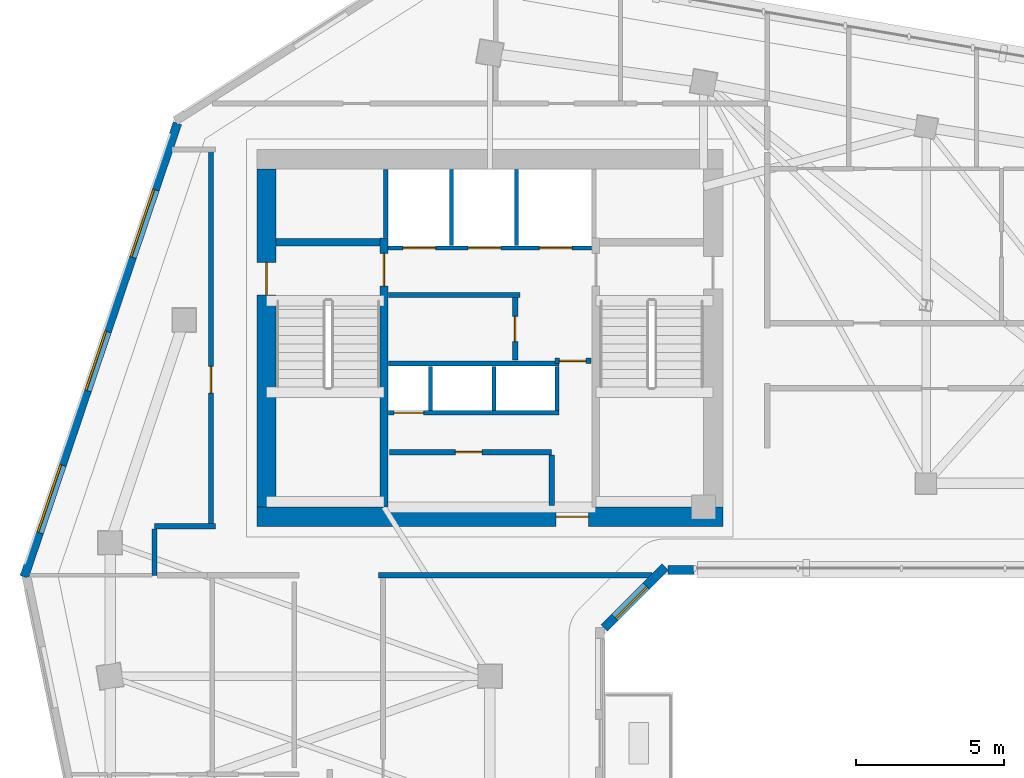
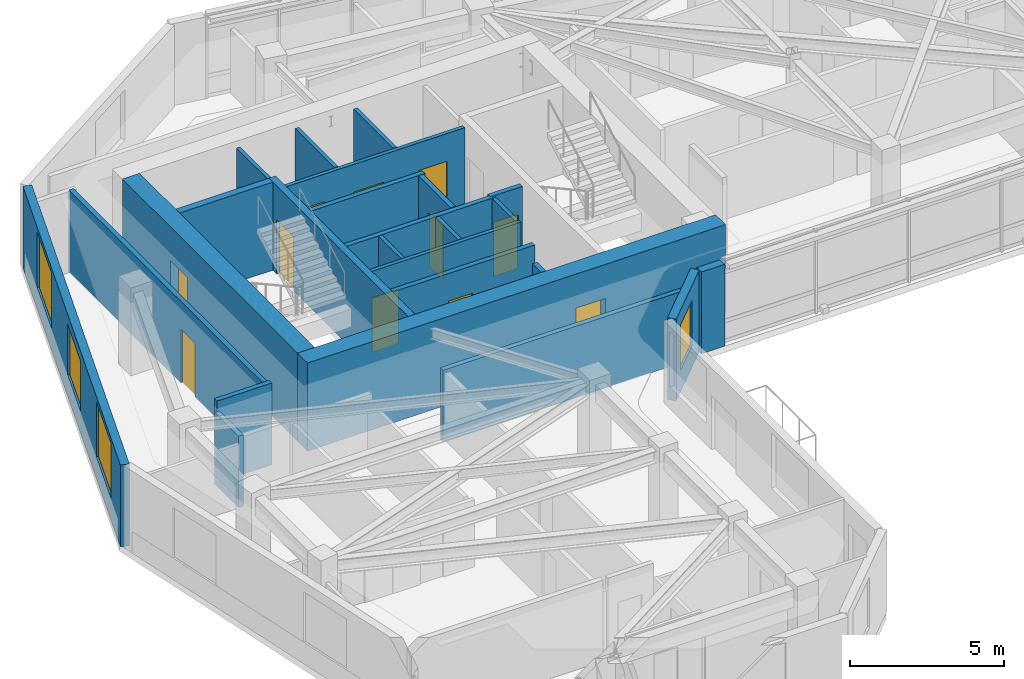
# One storey, part 5 of 10: 25 walls, 11 doors, 4 windows, 15 openings.
"""IFC4 building model written with IfcOpenShell, lengths in metres."""

import ifcopenshell
import ifcopenshell.guid

model = None  # the IFC model being written
_history = None  # IfcOwnerHistory: only IFC2X3 demands one
_inside = {}  # id of a spatial element -> (the spatial element, [elements in it])
_under = {}  # id of a project, library or spatial element -> (it, [spatial elements below it])
_declared = {}  # id of a project -> (the project, [libraries it declares])
_typed = {}  # id of a type object -> (the type object, [elements of that type])
_made_of = {}  # id of a material, layer set ... -> (it, [elements and type objects made of it])


def new_model(schema):
    """Start an empty IFC model of exactly this schema.

    Asked for "IFC4X3", IfcOpenShell would pick the latest addendum, in which some entities
    have other attributes; the version numbers below select the first issue.
    IFC2X3 requires an IfcOwnerHistory on every rooted entity: one is made here for all.
    """
    global model, _history
    if schema == "IFC4X3":
        model = ifcopenshell.file(schema_version=(4, 3, 0, 0))
    else:
        model = ifcopenshell.file(schema=schema)
    _inside.clear()
    _under.clear()
    _declared.clear()
    _typed.clear()
    _made_of.clear()
    _history = None
    if model.schema == "IFC2X3":
        org = make("IfcOrganization", Name="unknown")
        user = make(
            "IfcPersonAndOrganization",
            ThePerson=make("IfcPerson", FamilyName="unknown"),
            TheOrganization=org,
        )
        app = make(
            "IfcApplication",
            ApplicationDeveloper=org,
            Version="unknown",
            ApplicationFullName="unknown",
            ApplicationIdentifier="unknown",
        )
        _history = make(
            "IfcOwnerHistory",
            OwningUser=user,
            OwningApplication=app,
            ChangeAction="ADDED",
            CreationDate=0,
        )
    return model


def make(cls, **values):
    """One entity of the class cls with the attributes given. An attribute that is None is left unset."""
    return model.create_entity(
        cls, **{name: value for name, value in values.items() if value is not None}
    )


def rooted(cls, **values):
    """An entity with a GlobalId (a new one), such as an element, a storey or a relation."""
    return make(cls, GlobalId=ifcopenshell.guid.new(), OwnerHistory=_history, **values)


def si_unit(unit_type, name, prefix=None):
    """IfcSIUnit, for example si_unit("LENGTHUNIT", "METRE", prefix="MILLI")."""
    return make("IfcSIUnit", UnitType=unit_type, Prefix=prefix, Name=name)


def assignment(units):
    """IfcUnitAssignment: the units of a project."""
    return None if units is None else make("IfcUnitAssignment", Units=units)


def point(xyz):
    """IfcCartesianPoint."""
    return None if xyz is None else make("IfcCartesianPoint", Coordinates=xyz)


def direction(xyz):
    """IfcDirection."""
    return None if xyz is None else make("IfcDirection", DirectionRatios=xyz)


def frame(location, z_axis=None, x_axis=None):
    """IfcAxis2Placement3D, a coordinate frame: its origin and axes. An axis left out is left unset."""
    return make(
        "IfcAxis2Placement3D",
        Location=point(location),
        Axis=direction(z_axis),
        RefDirection=direction(x_axis),
    )


def frame_2d(location, x_axis=None):
    """IfcAxis2Placement2D, a coordinate frame in the plane: its origin and x axis."""
    return make(
        "IfcAxis2Placement2D", Location=point(location), RefDirection=direction(x_axis)
    )


def origin():
    """The frame at (0, 0, 0) with its axes left unset."""
    return frame((0.0, 0.0, 0.0))


def place(relative_to, where):
    """IfcLocalPlacement: puts the frame where relative to a parent placement (None: the world)."""
    return make(
        "IfcLocalPlacement", PlacementRelTo=relative_to, RelativePlacement=where
    )


def context(
    kind, dimensions, precision=None, world=None, true_north=None, identifier=None
):
    """IfcGeometricRepresentationContext, for example the 3D "Model" context."""
    return make(
        "IfcGeometricRepresentationContext",
        ContextIdentifier=identifier,
        ContextType=kind,
        CoordinateSpaceDimension=dimensions,
        Precision=precision,
        WorldCoordinateSystem=world,
        TrueNorth=true_north,
    )


def subcontext(parent, identifier, kind, view, scale=None):
    """IfcGeometricRepresentationSubContext, for example "Body" below "Model"."""
    return make(
        "IfcGeometricRepresentationSubContext",
        ContextIdentifier=identifier,
        ContextType=kind,
        ParentContext=parent,
        TargetScale=scale,
        TargetView=view,
    )


def project(units=None, contexts=None):
    """IfcProject with its units and contexts."""
    return rooted(
        "IfcProject",
        Name="project",
        RepresentationContexts=contexts,
        UnitsInContext=assignment(units),
    )


def spatial(cls, under=None, at=None, **own):
    """A site, building, storey or space (cls), placed at a placement, below another one or the project."""
    s = rooted(cls, ObjectPlacement=at, **own)
    if under is not None:
        _under.setdefault(under.id(), (under, []))[1].append(s)
    return s


def profile(cls, at=None, kind="AREA", **sizes):
    """A parametric profile (cls). Its sizes go by their IFC names, for example OverallWidth=200.0."""
    return make(cls, ProfileType=kind, Position=at, **sizes)


def rectangle(**sizes):
    """IfcRectangleProfileDef."""
    return profile("IfcRectangleProfileDef", **sizes)


def extrude(swept, where, along, depth):
    """IfcExtrudedAreaSolid: the profile swept, set in the frame where, extruded along a direction by depth."""
    return make(
        "IfcExtrudedAreaSolid",
        SweptArea=swept,
        Position=where,
        ExtrudedDirection=direction(along),
        Depth=depth,
    )


def shape(context_of_items, identifier, shape_type, items):
    """IfcShapeRepresentation: the items that make up one representation, for example the "Body"."""
    return make(
        "IfcShapeRepresentation",
        ContextOfItems=context_of_items,
        RepresentationIdentifier=identifier,
        RepresentationType=shape_type,
        Items=items,
    )


def source(mapping_origin, context_of_items, identifier, shape_type, items):
    """IfcRepresentationMap: a shape defined once, which mapped items show again and again."""
    return make(
        "IfcRepresentationMap",
        MappingOrigin=mapping_origin,
        MappedRepresentation=shape(context_of_items, identifier, shape_type, items),
    )


def transform(
    local_origin,
    x_axis=None,
    y_axis=None,
    z_axis=None,
    scale=None,
    scale2=None,
    scale3=None,
    uniform=True,
):
    """IfcCartesianTransformationOperator3D, or its non-uniform kind. x_axis, y_axis, z_axis: its Axis1, 2, 3."""
    if uniform:
        return make(
            "IfcCartesianTransformationOperator3D",
            Axis1=direction(x_axis),
            Axis2=direction(y_axis),
            LocalOrigin=point(local_origin),
            Scale=scale,
            Axis3=direction(z_axis),
        )
    return make(
        "IfcCartesianTransformationOperator3DnonUniform",
        Axis1=direction(x_axis),
        Axis2=direction(y_axis),
        LocalOrigin=point(local_origin),
        Scale=scale,
        Axis3=direction(z_axis),
        Scale2=scale2,
        Scale3=scale3,
    )


def mapped(mapping_source, mapping_target):
    """IfcMappedItem: shows the shape of a source again, moved by a transform."""
    return make(
        "IfcMappedItem", MappingSource=mapping_source, MappingTarget=mapping_target
    )


def material(Name=None, Category=None):
    """IfcMaterial."""
    return make("IfcMaterial", Name=Name, Category=Category)


def layer(
    of_material, thickness, ventilated=None, Name=None, Category=None, Priority=None
):
    """IfcMaterialLayer: one layer of a wall or slab, of a material (None: an air gap)."""
    return make(
        "IfcMaterialLayer",
        Material=of_material,
        LayerThickness=thickness,
        IsVentilated=ventilated,
        Name=Name,
        Category=Category,
        Priority=Priority,
    )


def layer_set(layers, Name=None):
    """IfcMaterialLayerSet."""
    return make("IfcMaterialLayerSet", MaterialLayers=layers, LayerSetName=Name)


def made_of(thing, what):
    """Note that an element or type object is made of a material, layer set ...; save() writes the relation."""
    if what is not None:
        _made_of.setdefault(what.id(), (what, []))[1].append(thing)
    return thing


def type_object(cls, material=None, **own):
    """A type object (cls), such as IfcWallType, which elements share."""
    return made_of(rooted(cls, **own), material)


def element(
    cls,
    number,
    at=None,
    inside=None,
    cuts=None,
    type_object=None,
    material=None,
    context=None,
    identifier="Body",
    shape_type=None,
    held_by="IfcProductDefinitionShape",
    body=None,
    shapes=None,
    **own,
):
    """One element of the class cls, such as IfcWall. Its Tag is "e" and its number.

    at: its placement. inside: the storey or other place that contains it. cuts: it is an
    opening in that element (IfcRelVoidsElement). A single representation is given by context,
    identifier, shape_type and body (its items); several are given by shapes. held_by: the class
    of the entity that holds the representations. save() writes the other relations.
    """
    e = rooted(cls, Tag="e%d" % number, ObjectPlacement=at, **own)
    if body is not None:
        shapes = [shape(context, identifier, shape_type, body)]
    if shapes is not None:
        e.Representation = make(held_by, Representations=shapes)
    if inside is not None:
        _inside.setdefault(inside.id(), (inside, []))[1].append(e)
    if cuts is not None:
        rooted(
            "IfcRelVoidsElement", RelatingBuildingElement=cuts, RelatedOpeningElement=e
        )
    if type_object is not None:
        _typed.setdefault(type_object.id(), (type_object, []))[1].append(e)
    return made_of(e, material)


def fill(opening, filler):
    """IfcRelFillsElement: the door or window that sits in an opening."""
    return rooted(
        "IfcRelFillsElement",
        RelatingOpeningElement=opening,
        RelatedBuildingElement=filler,
    )


def aggregate(whole, parts):
    """IfcRelAggregates: a whole, such as a stair, and the parts it consists of."""
    return rooted("IfcRelAggregates", RelatingObject=whole, RelatedObjects=parts)


def save(model, path):
    """Write the relations noted so far, then the file.

    IfcRelAggregates (storeys below a building ...), IfcRelContainedInSpatialStructure (elements
    in a storey), IfcRelDefinesByType, IfcRelAssociatesMaterial and IfcRelDeclares: one each for
    every whole, place, type object, material and project.
    """
    for whole, parts in _under.values():
        aggregate(whole, parts)
    for where, things in _inside.values():
        rooted(
            "IfcRelContainedInSpatialStructure",
            RelatedElements=things,
            RelatingStructure=where,
        )
    for kind, things in _typed.values():
        rooted("IfcRelDefinesByType", RelatedObjects=things, RelatingType=kind)
    for what, things in _made_of.values():
        rooted("IfcRelAssociatesMaterial", RelatedObjects=things, RelatingMaterial=what)
    for by, libraries in _declared.values():
        rooted("IfcRelDeclares", RelatingContext=by, RelatedDefinitions=libraries)
    model.write(path)


model = new_model("IFC4")

# Units and contexts
model_context = context("Model", 3, precision=1e-05, world=origin(), true_north=direction((0.0, 1.0)))
body_context = subcontext(model_context, "Body", "Model", "MODEL_VIEW")
ifc_project = project(units=[si_unit("LENGTHUNIT", "METRE"), si_unit("AREAUNIT", "SQUARE_METRE"), si_unit("VOLUMEUNIT", "CUBIC_METRE"), si_unit("PLANEANGLEUNIT", "RADIAN"), si_unit("MASSUNIT", "GRAM", prefix="KILO")], contexts=[model_context])

# Site, building, storey
site_placement = place(None, origin())
site = spatial("IfcSite", under=ifc_project, at=site_placement, CompositionType="ELEMENT")
building_placement = place(site_placement, origin())
building = spatial("IfcBuilding", under=site, at=building_placement, Name="Calvemar Wedge Station Tower", CompositionType="ELEMENT")
storey_placement = place(building_placement, frame((0.0, 0.0, 193.89990234375)))
storey = spatial("IfcBuildingStorey", under=building, at=storey_placement, Name="L48", CompositionType="ELEMENT", Elevation=193.89990234375)

# Wall, opening, door
ifc_material_1 = material(Name="Concrete C50", Category="concrete")
ifc_layer_1 = layer(ifc_material_1, 0.260009765625)
ifc_layer_set_1 = layer_set([ifc_layer_1], Name="Concrete C50")
wall_type_1 = type_object("IfcWallType", Name="SW-CORE-260", PredefinedType="SHEAR", material=ifc_layer_set_1)
wall_1_placement = place(storey_placement, frame((20.22998046875, 34.199951171875, 0.0), z_axis=(0.0, 0.0, 1.0), x_axis=(0.0, 1.0, 0.0)))
wall_1 = element("IfcWall", 1, at=wall_1_placement, inside=storey, type_object=wall_type_1, Name="Storey L48 Core Shear Wall SPINE-W", PredefinedType="SHEAR", context=body_context, shape_type="SweptSolid", body=[
    extrude(rectangle(XDim=9.06005859375, YDim=0.260009765625, at=frame_2d((4.530029296875, 0.0))), origin(), (0.0, 0.0, 1.0), 3.5),
])
shared_shape_1 = source(origin(), body_context, "Body", "SweptSolid", [
    extrude(rectangle(XDim=1.10009765625, YDim=2.14990234375, at=frame_2d((0.550048828125, 1.074951171875))), frame((0.0, 0.14013671875, 0.0), z_axis=(0.0, -1.0, 0.0), x_axis=(1.0, 0.0, 0.0)), (0.0, 0.0, 1.0), 0.280029296875),
])
opening_1_placement = place(wall_1_placement, frame((7.449951171875, 0.0, 0.0)))
opening_1 = element("IfcOpeningElement", 2, at=opening_1_placement, cuts=wall_1, Name="Opening FD-90", PredefinedType="OPENING", context=body_context, shape_type="MappedRepresentation", body=[
    mapped(shared_shape_1, transform((0.0, 0.0, 0.0), scale=1.0)),
])
ifc_material_2 = material(Name="Galvanized fire-rated steel door leaf P-90", Category="steel")
door_type_1 = type_object("IfcDoorType", Name="DR-FD90-1100", OperationType="NOTDEFINED", PredefinedType="DOOR", material=ifc_material_2)
shared_shape_2 = source(origin(), body_context, "Body", "SweptSolid", [
    extrude(rectangle(XDim=1.10009765625, YDim=2.14990234375, at=frame_2d((0.550048828125, 1.074951171875))), frame((0.0, 0.02490234375, 0.0), z_axis=(0.0, -1.0, 0.0), x_axis=(1.0, 0.0, 0.0)), (0.0, 0.0, 1.0), 0.050048828125),
])
door_1_placement = place(opening_1_placement, origin())
door_1 = element("IfcDoor", 3, at=door_1_placement, inside=storey, type_object=door_type_1, Name="L48 FF Lobby to Stair ST-C1 Door", OperationType="SINGLE_SWING_RIGHT", OverallHeight=2.14990234375, OverallWidth=1.10009765625, PredefinedType="DOOR", context=body_context, shape_type="MappedRepresentation", body=[
    mapped(shared_shape_2, transform((0.0, 0.0, 0.0), scale=1.0)),
])
fill(opening_1, door_1)

# Wall
wall_2_placement = place(storey_placement, frame((16.60009765625, 43.1298828125, 0.0), z_axis=(0.0, 0.0, 1.0), x_axis=(1.0, 0.0, 0.0)))
element("IfcWall", 4, at=wall_2_placement, inside=storey, type_object=wall_type_1, Name="Storey L48 Core Shear Wall STC1-N", PredefinedType="SHEAR", context=body_context, shape_type="SweptSolid", body=[
    extrude(rectangle(XDim=3.5, YDim=0.260009765625, at=frame_2d((1.75, 0.0))), origin(), (0.0, 0.0, 1.0), 3.5),
])

# Wall, opening, door
ifc_material_3 = material(Name="Concrete C60", Category="concrete")
ifc_layer_2 = layer(ifc_material_3, 0.64990234375)
ifc_layer_set_2 = layer_set([ifc_layer_2], Name="Concrete C60")
wall_type_2 = type_object("IfcWallType", Name="SW-CORE-650", PredefinedType="SHEAR", material=ifc_layer_set_2)
wall_3_placement = place(storey_placement, frame((15.949951171875, 33.875, 0.0), z_axis=(0.0, 0.0, 1.0), x_axis=(1.0, 0.0, 0.0)))
wall_3 = element("IfcWall", 5, at=wall_3_placement, inside=storey, type_object=wall_type_2, Name="Storey L48 Core Shear Wall S", PredefinedType="SHEAR", context=body_context, shape_type="SweptSolid", body=[
    extrude(rectangle(XDim=15.699951171875, YDim=0.64990234375, at=frame_2d((7.85009765625, 0.0))), origin(), (0.0, 0.0, 1.0), 3.5),
])
shared_shape_3 = source(origin(), body_context, "Body", "SweptSolid", [
    extrude(rectangle(XDim=1.10009765625, YDim=2.14990234375, at=frame_2d((0.550048828125, 1.074951171875))), frame((0.0, 0.3349609375, 0.0), z_axis=(0.0, -1.0, 0.0), x_axis=(1.0, 0.0, 0.0)), (0.0, 0.0, 1.0), 0.669921875),
])
opening_2_placement = place(wall_3_placement, frame((10.080078125, 0.0, 0.0)))
opening_2 = element("IfcOpeningElement", 6, at=opening_2_placement, cuts=wall_3, Name="Opening FD-90", PredefinedType="OPENING", context=body_context, shape_type="MappedRepresentation", body=[
    mapped(shared_shape_3, transform((0.0, 0.0, 0.0), scale=1.0)),
])
door_2_placement = place(opening_2_placement, origin())
door_2 = element("IfcDoor", 7, at=door_2_placement, inside=storey, type_object=door_type_1, Name="L48 Passenger Lift Lobby Door", OperationType="SINGLE_SWING_RIGHT", OverallHeight=2.14990234375, OverallWidth=1.10009765625, PredefinedType="DOOR", context=body_context, shape_type="MappedRepresentation", body=[
    mapped(shared_shape_2, transform((0.0, 0.0, 0.0), scale=1.0)),
])
fill(opening_2, door_2)

wall_4_placement = place(storey_placement, frame((16.27490234375, 34.199951171875, 0.0), z_axis=(0.0, 0.0, 1.0), x_axis=(0.0, 1.0, 0.0)))
wall_4 = element("IfcWall", 8, at=wall_4_placement, inside=storey, type_object=wall_type_2, Name="Storey L48 Core Shear Wall W", PredefinedType="SHEAR", context=body_context, shape_type="SweptSolid", body=[
    extrude(rectangle(XDim=11.400146484375, YDim=0.64990234375, at=frame_2d((5.7001953125, 0.0))), origin(), (0.0, 0.0, 1.0), 3.5),
])
opening_3_placement = place(wall_4_placement, frame((7.14990234375, 0.0, 0.0)))
opening_3 = element("IfcOpeningElement", 9, at=opening_3_placement, cuts=wall_4, Name="Opening FD-90", PredefinedType="OPENING", context=body_context, shape_type="MappedRepresentation", body=[
    mapped(shared_shape_3, transform((0.0, 0.0, 0.0), scale=1.0)),
])
door_3_placement = place(opening_3_placement, origin())
door_3 = element("IfcDoor", 10, at=door_3_placement, inside=storey, type_object=door_type_1, Name="L48 West Corridor to Exit Stair ST-C1 Door", OperationType="SINGLE_SWING_RIGHT", OverallHeight=2.14990234375, OverallWidth=1.10009765625, PredefinedType="DOOR", context=body_context, shape_type="MappedRepresentation", body=[
    mapped(shared_shape_2, transform((0.0, 0.0, 0.0), scale=1.0)),
])
fill(opening_3, door_3)

# Wall
ifc_material_4 = material(Name="Double-stud fire-rated corridor partition")
ifc_layer_3 = layer(ifc_material_4, 0.179931640625)
ifc_layer_set_3 = layer_set([ifc_layer_3], Name="Double-stud fire-rated corridor partition")
wall_type_3 = type_object("IfcWallType", Name="W-CORR-180", PredefinedType="PARTITIONING", material=ifc_layer_set_3)
wall_5_placement = place(storey_placement, frame((24.81005859375, 41.35009765625, 0.0), z_axis=(0.0, 0.0, 1.0), x_axis=(-1.0, 0.0, 0.0)))
element("IfcWall", 11, at=wall_5_placement, inside=storey, type_object=wall_type_3, Name="Storey L48 Interior Partition WL-L48-001", PredefinedType="PARTITIONING", context=body_context, shape_type="SweptSolid", body=[
    extrude(rectangle(XDim=4.43017578125, YDim=0.179931640625, at=frame_2d((2.215087890625, 0.0))), origin(), (0.0, 0.0, 1.0), 3.25),
])

# Wall, opening, door
wall_6_placement = place(storey_placement, frame((24.64990234375, 41.256103515625, 0.0), z_axis=(0.0, 0.0, 1.0), x_axis=(0.0, -1.0, 0.0)))
wall_6 = element("IfcWall", 12, at=wall_6_placement, inside=storey, type_object=wall_type_3, Name="Storey L48 Interior Partition WL-L48-002", PredefinedType="PARTITIONING", context=body_context, shape_type="SweptSolid", body=[
    extrude(rectangle(XDim=2.106201171875, YDim=0.179931640625, at=frame_2d((1.05322265625, 0.0))), origin(), (0.0, 0.0, 1.0), 3.25),
])
shared_shape_4 = source(origin(), body_context, "Body", "SweptSolid", [
    extrude(rectangle(XDim=0.85009765625, YDim=2.14990234375, at=frame_2d((0.425048828125, 1.074951171875))), frame((0.0, 0.10009765625, 0.0), z_axis=(0.0, -1.0, 0.0), x_axis=(1.0, 0.0, 0.0)), (0.0, 0.0, 1.0), 0.199951171875),
])
opening_4_placement = place(wall_6_placement, frame((0.6279296875, 0.0, 0.0)))
opening_4 = element("IfcOpeningElement", 13, at=opening_4_placement, cuts=wall_6, Name="Opening FD-60S", PredefinedType="OPENING", context=body_context, shape_type="MappedRepresentation", body=[
    mapped(shared_shape_4, transform((0.0, 0.0, 0.0), scale=1.0)),
])
ifc_material_5 = material(Name="Fire-rated steel and hardwood service door EI 60", Category="steel")
door_type_2 = type_object("IfcDoorType", Name="DR-CORE-FD60-850", OperationType="NOTDEFINED", PredefinedType="DOOR", material=ifc_material_5)
shared_shape_5 = source(origin(), body_context, "Body", "SweptSolid", [
    extrude(rectangle(XDim=0.85009765625, YDim=2.14990234375, at=frame_2d((0.425048828125, 1.074951171875))), frame((0.0, 0.02490234375, 0.0), z_axis=(0.0, -1.0, 0.0), x_axis=(1.0, 0.0, 0.0)), (0.0, 0.0, 1.0), 0.050048828125),
])
door_4_placement = place(opening_4_placement, origin())
door_4 = element("IfcDoor", 14, at=door_4_placement, inside=storey, type_object=door_type_2, Name="L48 Cleaner and Linen Store Door", OperationType="SINGLE_SWING_LEFT", OverallHeight=2.14990234375, OverallWidth=0.85009765625, PredefinedType="DOOR", context=body_context, shape_type="MappedRepresentation", body=[
    mapped(shared_shape_5, transform((0.0, 0.0, 0.0), scale=1.0)),
])
fill(opening_4, door_4)

wall_7_placement = place(storey_placement, frame((27.199951171875, 39.1298828125, 0.0), z_axis=(0.0, 0.0, 1.0), x_axis=(-1.0, 0.0, 0.0)))
wall_7 = element("IfcWall", 15, at=wall_7_placement, inside=storey, type_object=wall_type_3, Name="Storey L48 Interior Partition WL-L48-003", PredefinedType="PARTITIONING", context=body_context, shape_type="SweptSolid", body=[
    extrude(rectangle(XDim=1.2099609375, YDim=0.179931640625, at=frame_2d((0.60498046875, 0.0))), origin(), (0.0, 0.0, 1.0), 3.25),
])
shared_shape_6 = source(origin(), body_context, "Body", "SweptSolid", [
    extrude(rectangle(XDim=0.89990234375, YDim=2.14990234375, at=frame_2d((0.449951171875, 1.074951171875))), frame((0.0, 0.10009765625, 0.0), z_axis=(0.0, -1.0, 0.0), x_axis=(1.0, 0.0, 0.0)), (0.0, 0.0, 1.0), 0.199951171875),
])
opening_5_placement = place(wall_7_placement, frame((0.155029296875, 0.0, 0.0)))
opening_5 = element("IfcOpeningElement", 16, at=opening_5_placement, cuts=wall_7, Name="Opening FD-60", PredefinedType="OPENING", context=body_context, shape_type="MappedRepresentation", body=[
    mapped(shared_shape_6, transform((0.0, 0.0, 0.0), scale=1.0)),
])
ifc_material_6 = material(Name="Fire-rated acoustic timber-core entrance door EI 60", Category="wood")
door_type_3 = type_object("IfcDoorType", Name="DR-FD60-900", OperationType="NOTDEFINED", PredefinedType="DOOR", material=ifc_material_6)
shared_shape_7 = source(origin(), body_context, "Body", "SweptSolid", [
    extrude(rectangle(XDim=0.89990234375, YDim=2.14990234375, at=frame_2d((0.449951171875, 1.074951171875))), frame((0.0, 0.02490234375, 0.0), z_axis=(0.0, -1.0, 0.0), x_axis=(1.0, 0.0, 0.0)), (0.0, 0.0, 1.0), 0.050048828125),
])
door_5_placement = place(opening_5_placement, origin())
door_5 = element("IfcDoor", 17, at=door_5_placement, inside=storey, type_object=door_type_3, Name="L48 Core Service Lobby Door", OperationType="SINGLE_SWING_RIGHT", OverallHeight=2.14990234375, OverallWidth=0.89990234375, PredefinedType="DOOR", context=body_context, shape_type="MappedRepresentation", body=[
    mapped(shared_shape_7, transform((0.0, 0.0, 0.0), scale=1.0)),
])
fill(opening_5, door_5)

wall_8_placement = place(storey_placement, frame((20.419921875, 36.050048828125, 0.0), z_axis=(0.0, 0.0, 1.0), x_axis=(1.0, 0.0, 0.0)))
wall_8 = element("IfcWall", 18, at=wall_8_placement, inside=storey, type_object=wall_type_3, Name="Storey L48 Interior Partition WL-L48-004", PredefinedType="PARTITIONING", context=body_context, shape_type="SweptSolid", body=[
    extrude(rectangle(XDim=5.4599609375, YDim=0.179931640625, at=frame_2d((2.72998046875, 0.0))), origin(), (0.0, 0.0, 1.0), 3.25),
])
opening_6_placement = place(wall_8_placement, frame((2.219482421875, 0.0, 0.0)))
opening_6 = element("IfcOpeningElement", 19, at=opening_6_placement, cuts=wall_8, Name="Opening FD-60", PredefinedType="OPENING", context=body_context, shape_type="MappedRepresentation", body=[
    mapped(shared_shape_6, transform((0.0, 0.0, 0.0), scale=1.0)),
])
door_6_placement = place(opening_6_placement, origin())
door_6 = element("IfcDoor", 20, at=door_6_placement, inside=storey, type_object=door_type_3, Name="L48 Parcel and Resident Store Door", OperationType="SINGLE_SWING_LEFT", OverallHeight=2.14990234375, OverallWidth=0.89990234375, PredefinedType="DOOR", context=body_context, shape_type="MappedRepresentation", body=[
    mapped(shared_shape_7, transform((0.0, 0.0, 0.0), scale=1.0)),
])
fill(opening_6, door_6)

# Walls
wall_9_placement = place(storey_placement, frame((25.8798828125, 35.9560546875, 0.0), z_axis=(0.0, 0.0, 1.0), x_axis=(0.0, -1.0, 0.0)))
element("IfcWall", 21, at=wall_9_placement, inside=storey, type_object=wall_type_3, Name="Storey L48 Interior Partition WL-L48-005", PredefinedType="PARTITIONING", context=body_context, shape_type="SweptSolid", body=[
    extrude(rectangle(XDim=1.7060546875, YDim=0.179931640625, at=frame_2d((0.85302734375, 0.0))), origin(), (0.0, 0.0, 1.0), 2.5419921875),
])
wall_10_placement = place(storey_placement, frame((12.5, 33.550048828125, 0.0), z_axis=(0.0, 0.0, 1.0), x_axis=(1.0, 0.0, 0.0)))
element("IfcWall", 22, at=wall_10_placement, inside=storey, type_object=wall_type_3, Name="Storey L48 Interior Partition WL-L48-006", PredefinedType="PARTITIONING", context=body_context, shape_type="SweptSolid", body=[
    extrude(rectangle(XDim=2.06005859375, YDim=0.179931640625, at=frame_2d((1.030029296875, 0.0))), origin(), (0.0, 0.0, 1.0), 3.25),
])
wall_11_placement = place(storey_placement, frame((12.5, 31.89990234375, 0.0), z_axis=(0.0, 0.0, 1.0), x_axis=(0.0, 1.0, 0.0)))
element("IfcWall", 23, at=wall_11_placement, inside=storey, type_object=wall_type_3, Name="Storey L48 Interior Partition WL-L48-007", PredefinedType="PARTITIONING", context=body_context, shape_type="SweptSolid", body=[
    extrude(rectangle(XDim=1.55615234375, YDim=0.179931640625, at=frame_2d((0.778076171875, 0.0))), origin(), (0.0, 0.0, 1.0), 2.835205078125),
])
wall_12_placement = place(storey_placement, frame((29.26513671875, 31.89990234375, 0.0), z_axis=(0.0, 0.0, 1.0), x_axis=(-1.0, 0.0, 0.0)))
element("IfcWall", 24, at=wall_12_placement, inside=storey, type_object=wall_type_3, Name="Storey L48 Interior Partition WL-L48-010", PredefinedType="PARTITIONING", context=body_context, shape_type="SweptSolid", body=[
    extrude(rectangle(XDim=9.22509765625, YDim=0.179931640625, at=frame_2d((4.612548828125, 0.0))), origin(), (0.0, 0.0, 1.0), 2.835205078125),
])

# Wall, opening, door
wall_13_placement = place(storey_placement, frame((14.39990234375, 33.64404296875, 0.0), z_axis=(0.0, 0.0, 1.0), x_axis=(0.0, 1.0, 0.0)))
wall_13 = element("IfcWall", 25, at=wall_13_placement, inside=storey, type_object=wall_type_3, Name="Storey L48 Interior Partition WL-L48-011", PredefinedType="PARTITIONING", context=body_context, shape_type="SweptSolid", body=[
    extrude(rectangle(XDim=12.60595703125, YDim=0.179931640625, at=frame_2d((6.302978515625, 0.0))), origin(), (0.0, 0.0, 1.0), 3.25),
])
opening_7_placement = place(wall_13_placement, frame((4.399169921875, 0.0, 0.0)))
opening_7 = element("IfcOpeningElement", 26, at=opening_7_placement, cuts=wall_13, Name="Opening D-01", PredefinedType="OPENING", context=body_context, shape_type="MappedRepresentation", body=[
    mapped(shared_shape_6, transform((0.0, 0.0, 0.0), scale=1.0)),
])
ifc_material_7 = material(Name="Architectural hardwood acoustic swing door", Category="wood")
door_type_4 = type_object("IfcDoorType", Name="DR-INT-900", OperationType="NOTDEFINED", PredefinedType="DOOR", material=ifc_material_7)
shared_shape_8 = source(origin(), body_context, "Body", "SweptSolid", [
    extrude(rectangle(XDim=0.89990234375, YDim=2.14990234375, at=frame_2d((0.449951171875, 1.074951171875))), frame((0.0, 0.02490234375, 0.0), z_axis=(0.0, -1.0, 0.0), x_axis=(1.0, 0.0, 0.0)), (0.0, 0.0, 1.0), 0.050048828125),
])
door_7_placement = place(opening_7_placement, origin())
door_7 = element("IfcDoor", 27, at=door_7_placement, inside=storey, type_object=door_type_4, Name="L48 Resident Reading Lounge Door", OperationType="SINGLE_SWING_RIGHT", OverallHeight=2.14990234375, OverallWidth=0.89990234375, PredefinedType="DOOR", context=body_context, shape_type="MappedRepresentation", body=[
    mapped(shared_shape_8, transform((0.0, 0.0, 0.0), scale=1.0)),
])
fill(opening_7, door_7)

# Wall, opening, window
ifc_material_8 = material(Name="Precast concrete C45", Category="concrete")
ifc_layer_4 = layer(ifc_material_8, 0.300048828125)
ifc_layer_set_4 = layer_set([ifc_layer_4], Name="Precast concrete C45")
wall_type_4 = type_object("IfcWallType", Name="W-EXT-GFRC-300", PredefinedType="SOLIDWALL", material=ifc_layer_set_4)
wall_14_placement = place(storey_placement, frame((27.652099609375, 30.1240234375, 0.0), z_axis=(0.0, 0.0, 1.0), x_axis=(0.707064797706, 0.707148762175, 0.0)))
wall_14 = element("IfcWall", 28, at=wall_14_placement, inside=storey, type_object=wall_type_4, Name="Storey L48 Bronze GFRC Exterior Wall 5", PredefinedType="SOLIDWALL", context=body_context, shape_type="SweptSolid", body=[
    extrude(rectangle(XDim=2.90771484375, YDim=0.300048828125, at=frame_2d((1.453857421875, 0.0))), origin(), (0.0, 0.0, 1.0), 3.25),
])
shared_shape_9 = source(origin(), body_context, "Body", "SweptSolid", [
    extrude(rectangle(XDim=1.5, YDim=1.800048828125, at=frame_2d((0.75, 0.89990234375))), frame((0.0, 0.16015625, 0.0), z_axis=(0.0, -1.0, 0.0), x_axis=(1.0, 0.0, 0.0)), (0.0, 0.0, 1.0), 0.320068359375),
])
opening_8_placement = place(wall_14_placement, frame((0.498046875, 0.0, 0.85009765625)))
opening_8 = element("IfcOpeningElement", 29, at=opening_8_placement, cuts=wall_14, Name="Opening W3", PredefinedType="OPENING", context=body_context, shape_type="MappedRepresentation", body=[
    mapped(shared_shape_9, transform((0.0, 0.0, 0.0), scale=1.0)),
])
ifc_material_9 = material(Name="Low-E laminated insulated glass", Category="glass")
window_type_1 = type_object("IfcWindowType", Name="WIN-EXT-3", PartitioningType="SINGLE_PANEL", PredefinedType="WINDOW", material=ifc_material_9)
shared_shape_10 = source(origin(), body_context, "Body", "SweptSolid", [
    extrude(rectangle(XDim=1.5, YDim=1.800048828125, at=frame_2d((0.75, 0.89990234375))), frame((0.0, -0.014892578125, 0.0), z_axis=(0.0, -1.0, 0.0), x_axis=(1.0, 0.0, 0.0)), (0.0, 0.0, 1.0), 0.06005859375),
])
window_1_placement = place(opening_8_placement, origin())
window_1 = element("IfcWindow", 30, at=window_1_placement, inside=storey, type_object=window_type_1, Name="Storey L48 Recessed Window 5.1", OverallHeight=1.800048828125, OverallWidth=1.5, PartitioningType="SINGLE_PANEL", PredefinedType="WINDOW", context=body_context, shape_type="MappedRepresentation", body=[
    mapped(shared_shape_10, transform((0.0, 0.0, 0.0), scale=1.0)),
])
fill(opening_8, window_1)

# Wall
wall_15_placement = place(storey_placement, frame((29.797119140625, 32.073974609375, 0.0), z_axis=(0.0, 0.0, 1.0), x_axis=(1.0, 0.0, 0.0)))
element("IfcWall", 31, at=wall_15_placement, inside=storey, type_object=wall_type_4, Name="Storey L48 Bronze GFRC Corner Pier 6A", PredefinedType="SOLIDWALL", context=body_context, shape_type="SweptSolid", body=[
    extrude(rectangle(XDim=0.88232421875, YDim=0.300048828125, at=frame_2d((0.441162109375, 0.0))), origin(), (0.0, 0.0, 1.0), 3.25),
])

# Wall, openings, windows
wall_16_placement = place(storey_placement, frame((13.2685546875, 47.1337890625, 0.0), z_axis=(0.0, 0.0, 1.0), x_axis=(-0.319920776449, -0.947444297464, 0.0)))
wall_16 = element("IfcWall", 32, at=wall_16_placement, inside=storey, type_object=wall_type_4, Name="Storey L48 Bronze GFRC Exterior Wall 12", PredefinedType="SOLIDWALL", context=body_context, shape_type="SweptSolid", body=[
    extrude(rectangle(XDim=16.13330078125, YDim=0.300048828125, at=frame_2d((8.066650390625, 0.0))), origin(), (0.0, 0.0, 1.0), 3.25),
])
shared_shape_11 = source(origin(), body_context, "Body", "SweptSolid", [
    extrude(rectangle(XDim=2.39990234375, YDim=2.199951171875, at=frame_2d((1.199951171875, 1.10009765625))), frame((0.0, 0.16015625, 0.0), z_axis=(0.0, -1.0, 0.0), x_axis=(1.0, 0.0, 0.0)), (0.0, 0.0, 1.0), 0.320068359375),
])
opening_9_placement = place(wall_16_placement, frame((2.363037109375, 0.0, 0.85009765625)))
opening_9 = element("IfcOpeningElement", 33, at=opening_9_placement, cuts=wall_16, Name="Opening W1", PredefinedType="OPENING", context=body_context, shape_type="MappedRepresentation", body=[
    mapped(shared_shape_11, transform((0.0, 0.0, 0.0), scale=1.0)),
])
shared_shape_12 = source(origin(), body_context, "Body", "SweptSolid", [
    extrude(rectangle(XDim=2.10009765625, YDim=2.0, at=frame_2d((1.050048828125, 1.0))), frame((0.0, 0.16015625, 0.0), z_axis=(0.0, -1.0, 0.0), x_axis=(1.0, 0.0, 0.0)), (0.0, 0.0, 1.0), 0.320068359375),
])
opening_10_placement = place(wall_16_placement, frame((7.409912109375, 0.0, 0.85009765625)))
opening_10 = element("IfcOpeningElement", 34, at=opening_10_placement, cuts=wall_16, Name="Opening W4", PredefinedType="OPENING", context=body_context, shape_type="MappedRepresentation", body=[
    mapped(shared_shape_12, transform((0.0, 0.0, 0.0), scale=1.0)),
])
opening_11_placement = place(wall_16_placement, frame((12.156982421875, 0.0, 0.85009765625)))
opening_11 = element("IfcOpeningElement", 35, at=opening_11_placement, cuts=wall_16, Name="Opening W1", PredefinedType="OPENING", context=body_context, shape_type="MappedRepresentation", body=[
    mapped(shared_shape_11, transform((0.0, 0.0, 0.0), scale=1.0)),
])
window_type_2 = type_object("IfcWindowType", Name="WIN-EXT-4", PartitioningType="SINGLE_PANEL", PredefinedType="WINDOW", material=ifc_material_9)
shared_shape_13 = source(origin(), body_context, "Body", "SweptSolid", [
    extrude(rectangle(XDim=2.10009765625, YDim=2.0, at=frame_2d((1.050048828125, 1.0))), frame((0.0, -0.014892578125, 0.0), z_axis=(0.0, -1.0, 0.0), x_axis=(1.0, 0.0, 0.0)), (0.0, 0.0, 1.0), 0.06005859375),
])
window_2_placement = place(opening_10_placement, origin())
window_2 = element("IfcWindow", 36, at=window_2_placement, inside=storey, type_object=window_type_2, Name="Storey L48 Recessed Window 12.2", OverallHeight=2.0, OverallWidth=2.10009765625, PartitioningType="SINGLE_PANEL", PredefinedType="WINDOW", context=body_context, shape_type="MappedRepresentation", body=[
    mapped(shared_shape_13, transform((0.0, 0.0, 0.0), scale=1.0)),
])
fill(opening_10, window_2)
window_type_3 = type_object("IfcWindowType", Name="WIN-EXT-1", PartitioningType="SINGLE_PANEL", PredefinedType="WINDOW", material=ifc_material_9)
shared_shape_14 = source(origin(), body_context, "Body", "SweptSolid", [
    extrude(rectangle(XDim=2.39990234375, YDim=2.199951171875, at=frame_2d((1.199951171875, 1.10009765625))), frame((0.0, -0.014892578125, 0.0), z_axis=(0.0, -1.0, 0.0), x_axis=(1.0, 0.0, 0.0)), (0.0, 0.0, 1.0), 0.06005859375),
])
window_3_placement = place(opening_9_placement, origin())
window_3 = element("IfcWindow", 37, at=window_3_placement, inside=storey, type_object=window_type_3, Name="Storey L48 Recessed Window 12.1", OverallHeight=2.199951171875, OverallWidth=2.39990234375, PartitioningType="SINGLE_PANEL", PredefinedType="WINDOW", context=body_context, shape_type="MappedRepresentation", body=[
    mapped(shared_shape_14, transform((0.0, 0.0, 0.0), scale=1.0)),
])
fill(opening_9, window_3)
window_4_placement = place(opening_11_placement, origin())
window_4 = element("IfcWindow", 38, at=window_4_placement, inside=storey, type_object=window_type_3, Name="Storey L48 Recessed Window 12.3", OverallHeight=2.199951171875, OverallWidth=2.39990234375, PartitioningType="SINGLE_PANEL", PredefinedType="WINDOW", context=body_context, shape_type="MappedRepresentation", body=[
    mapped(shared_shape_14, transform((0.0, 0.0, 0.0), scale=1.0)),
])
fill(opening_11, window_4)

# Wall, openings, doors
ifc_material_10 = material(Name="Reinforced concrete blockwork lift shaft wall", Category="masonry")
ifc_layer_5 = layer(ifc_material_10, 0.139892578125)
ifc_layer_set_5 = layer_set([ifc_layer_5], Name="Reinforced concrete blockwork lift shaft wall")
wall_type_5 = type_object("IfcWallType", Name="W-LIFT-160", PredefinedType="SOLIDWALL", material=ifc_layer_set_5)
wall_17_placement = place(storey_placement, frame((20.3701171875, 42.929931640625, 0.0), z_axis=(0.0, 0.0, 1.0), x_axis=(1.0, 0.0, 0.0)))
wall_17 = element("IfcWall", 39, at=wall_17_placement, inside=storey, type_object=wall_type_5, Name="Storey L48 Firefighting and Service Lift Shaft Front Wall", PredefinedType="SOLIDWALL", context=body_context, shape_type="SweptSolid", body=[
    extrude(rectangle(XDim=6.85986328125, YDim=0.139892578125, at=frame_2d((3.429931640625, 0.0))), origin(), (0.0, 0.0, 1.0), 3.25),
])
shared_shape_15 = source(origin(), body_context, "Body", "SweptSolid", [
    extrude(rectangle(XDim=1.10009765625, YDim=2.14990234375, at=frame_2d((0.550048828125, 1.074951171875))), frame((0.0, 0.080078125, 0.0), z_axis=(0.0, -1.0, 0.0), x_axis=(1.0, 0.0, 0.0)), (0.0, 0.0, 1.0), 0.159912109375),
])
opening_12_placement = place(wall_17_placement, frame((0.5, 0.0, 0.0)))
opening_12 = element("IfcOpeningElement", 40, at=opening_12_placement, cuts=wall_17, Name="Opening LD-FF", PredefinedType="OPENING", context=body_context, shape_type="MappedRepresentation", body=[
    mapped(shared_shape_15, transform((0.0, 0.0, 0.0), scale=1.0)),
])
opening_13_placement = place(wall_17_placement, frame((2.699951171875, 0.0, 0.0)))
opening_13 = element("IfcOpeningElement", 41, at=opening_13_placement, cuts=wall_17, Name="Opening LD-FF", PredefinedType="OPENING", context=body_context, shape_type="MappedRepresentation", body=[
    mapped(shared_shape_15, transform((0.0, 0.0, 0.0), scale=1.0)),
])
opening_14_placement = place(wall_17_placement, frame((5.10009765625, 0.0, 0.0)))
opening_14 = element("IfcOpeningElement", 42, at=opening_14_placement, cuts=wall_17, Name="Opening LD-STN", PredefinedType="OPENING", context=body_context, shape_type="MappedRepresentation", body=[
    mapped(shared_shape_15, transform((0.0, 0.0, 0.0), scale=1.0)),
])
ifc_material_11 = material(Name="Stainless steel firefighting lift sliding landing door", Category="steel")
door_type_5 = type_object("IfcDoorType", Name="DR-LD-FF-1100", OperationType="SLIDING_TO_LEFT", PredefinedType="DOOR", material=ifc_material_11)
shared_shape_16 = source(origin(), body_context, "Body", "SweptSolid", [
    extrude(rectangle(XDim=1.10009765625, YDim=2.14990234375, at=frame_2d((0.550048828125, 1.074951171875))), frame((0.0, 0.02490234375, 0.0), z_axis=(0.0, -1.0, 0.0), x_axis=(1.0, 0.0, 0.0)), (0.0, 0.0, 1.0), 0.050048828125),
])
door_8_placement = place(opening_12_placement, origin())
door_8 = element("IfcDoor", 43, at=door_8_placement, inside=storey, type_object=door_type_5, Name="L48 Lift FF-01 Sliding Landing Door", OperationType="SLIDING_TO_LEFT", OverallHeight=2.14990234375, OverallWidth=1.10009765625, PredefinedType="DOOR", context=body_context, shape_type="MappedRepresentation", body=[
    mapped(shared_shape_16, transform((0.0, 0.0, 0.0), scale=1.0)),
])
fill(opening_12, door_8)
door_9_placement = place(opening_13_placement, origin())
door_9 = element("IfcDoor", 44, at=door_9_placement, inside=storey, type_object=door_type_5, Name="L48 Lift FF-02 Sliding Landing Door", OperationType="SLIDING_TO_RIGHT", OverallHeight=2.14990234375, OverallWidth=1.10009765625, PredefinedType="DOOR", context=body_context, shape_type="MappedRepresentation", body=[
    mapped(shared_shape_16, transform((0.0, 0.0, 0.0), scale=1.0)),
])
fill(opening_13, door_9)
ifc_material_12 = material(Name="Stainless steel transit lift sliding landing door", Category="steel")
door_type_6 = type_object("IfcDoorType", Name="DR-LD-PAX-1100", OperationType="SLIDING_TO_LEFT", PredefinedType="DOOR", material=ifc_material_12)
shared_shape_17 = source(origin(), body_context, "Body", "SweptSolid", [
    extrude(rectangle(XDim=1.10009765625, YDim=2.14990234375, at=frame_2d((0.550048828125, 1.074951171875))), frame((0.0, 0.02490234375, 0.0), z_axis=(0.0, -1.0, 0.0), x_axis=(1.0, 0.0, 0.0)), (0.0, 0.0, 1.0), 0.050048828125),
])
door_10_placement = place(opening_14_placement, origin())
door_10 = element("IfcDoor", 45, at=door_10_placement, inside=storey, type_object=door_type_6, Name="L48 Lift SV-01 Sliding Landing Door", OperationType="SLIDING_TO_LEFT", OverallHeight=2.14990234375, OverallWidth=1.10009765625, PredefinedType="DOOR", context=body_context, shape_type="MappedRepresentation", body=[
    mapped(shared_shape_17, transform((0.0, 0.0, 0.0), scale=1.0)),
])
fill(opening_14, door_10)

# Walls
wall_18_placement = place(storey_placement, frame((20.2900390625, 43.280029296875, 0.0), z_axis=(0.0, 0.0, 1.0), x_axis=(0.0, 1.0, 0.0)))
element("IfcWall", 46, at=wall_18_placement, inside=storey, type_object=wall_type_5, Name="Storey L48 Firefighting Lift Shaft Enclosure Wall W", PredefinedType="SOLIDWALL", context=body_context, shape_type="SweptSolid", body=[
    extrude(rectangle(XDim=2.300048828125, YDim=0.139892578125, at=frame_2d((1.14990234375, 0.0))), origin(), (0.0, 0.0, 1.0), 3.25),
])
for number, where, z_axis, x_axis, name in (
    (47, (22.5, 43.02001953125, 0.0), (0.0, 0.0, 1.0), (0.0, 1.0, 0.0), "Storey L48 Firefighting Lift Shaft Enclosure Wall D1"),
    (48, (24.699951171875, 43.02001953125, 0.0), (0.0, 0.0, 1.0), (0.0, 1.0, 0.0), "Storey L48 Firefighting Lift Shaft Enclosure Wall D2"),
):
    element("IfcWall", number, at=place(storey_placement, frame(where, z_axis=z_axis, x_axis=x_axis)), inside=storey, type_object=wall_type_5, Name=name, PredefinedType="SOLIDWALL", context=body_context, shape_type="SweptSolid", body=[
        extrude(rectangle(XDim=2.56005859375, YDim=0.139892578125, at=frame_2d((1.280029296875, 0.0))), origin(), (0.0, 0.0, 1.0), 3.25),
    ])

# Wall, opening, door
wall_19_placement = place(storey_placement, frame((20.3798828125, 37.3798828125, 0.0), z_axis=(0.0, 0.0, 1.0), x_axis=(1.0, 0.0, 0.0)))
wall_19 = element("IfcWall", 49, at=wall_19_placement, inside=storey, type_object=wall_type_5, Name="Storey L48 Upper Passenger Lift Bank Front Wall", PredefinedType="SOLIDWALL", context=body_context, shape_type="SweptSolid", body=[
    extrude(rectangle(XDim=5.75, YDim=0.139892578125, at=frame_2d((2.875, 0.0))), origin(), (0.0, 0.0, 1.0), 3.25),
])
shared_shape_18 = source(origin(), body_context, "Body", "SweptSolid", [
    extrude(rectangle(XDim=1.0, YDim=2.14990234375, at=frame_2d((0.5, 1.074951171875))), frame((0.0, 0.080078125, 0.0), z_axis=(0.0, -1.0, 0.0), x_axis=(1.0, 0.0, 0.0)), (0.0, 0.0, 1.0), 0.159912109375),
])
opening_15_placement = place(wall_19_placement, frame((0.18994140625, 0.0, 0.0)))
opening_15 = element("IfcOpeningElement", 50, at=opening_15_placement, cuts=wall_19, Name="Opening LD-PAX", PredefinedType="OPENING", context=body_context, shape_type="MappedRepresentation", body=[
    mapped(shared_shape_18, transform((0.0, 0.0, 0.0), scale=1.0)),
])
ifc_material_13 = material(Name="Anodised bronze passenger lift sliding landing door")
door_type_7 = type_object("IfcDoorType", Name="DR-LD-PAX-1000", OperationType="SLIDING_TO_LEFT", PredefinedType="DOOR", material=ifc_material_13)
shared_shape_19 = source(origin(), body_context, "Body", "SweptSolid", [
    extrude(rectangle(XDim=1.0, YDim=2.14990234375, at=frame_2d((0.5, 1.074951171875))), frame((0.0, 0.02490234375, 0.0), z_axis=(0.0, -1.0, 0.0), x_axis=(1.0, 0.0, 0.0)), (0.0, 0.0, 1.0), 0.050048828125),
])
door_11_placement = place(opening_15_placement, origin())
door_11 = element("IfcDoor", 51, at=door_11_placement, inside=storey, type_object=door_type_7, Name="L48 Lift RH-01 Sliding Landing Door", OperationType="SLIDING_TO_LEFT", OverallHeight=2.14990234375, OverallWidth=1.0, PredefinedType="DOOR", context=body_context, shape_type="MappedRepresentation", body=[
    mapped(shared_shape_19, transform((0.0, 0.0, 0.0), scale=1.0)),
])
fill(opening_15, door_11)

# Walls
for number, where, z_axis, x_axis, name in (
    (52, (26.06005859375, 37.4599609375, 0.0), (0.0, 0.0, 1.0), (0.0, 1.0, 0.0), "Storey L48 Upper Passenger Lift Shaft Wall E"),
    (53, (21.794921875, 37.4599609375, 0.0), (0.0, 0.0, 1.0), (0.0, 1.0, 0.0), "Storey L48 Upper Passenger Lift Shaft Wall D1"),
    (54, (23.93505859375, 37.4599609375, 0.0), (0.0, 0.0, 1.0), (0.0, 1.0, 0.0), "Storey L48 Upper Passenger Lift Shaft Wall D2"),
):
    element("IfcWall", number, at=place(storey_placement, frame(where, z_axis=z_axis, x_axis=x_axis)), inside=storey, type_object=wall_type_5, Name=name, PredefinedType="SOLIDWALL", context=body_context, shape_type="SweptSolid", body=[
        extrude(rectangle(XDim=1.47998046875, YDim=0.139892578125, at=frame_2d((0.739990234375, 0.0))), origin(), (0.0, 0.0, 1.0), 3.25),
    ])
ifc_material_14 = material(Name="Concrete blockwork and fireboard shaft wall", Category="masonry")
ifc_layer_6 = layer(ifc_material_14, 0.199951171875)
ifc_layer_set_6 = layer_set([ifc_layer_6], Name="Concrete blockwork and fireboard shaft wall")
wall_type_6 = type_object("IfcWallType", Name="W-SHAFT-200", PredefinedType="SOLIDWALL", material=ifc_layer_set_6)
wall_20_placement = place(storey_placement, frame((20.3798828125, 39.0400390625, 0.0), z_axis=(0.0, 0.0, 1.0), x_axis=(1.0, 0.0, 0.0)))
element("IfcWall", 55, at=wall_20_placement, inside=storey, type_object=wall_type_6, Name="Storey L48 Upper Passenger Lift Bank Rear Shaft Wall", PredefinedType="SOLIDWALL", context=body_context, shape_type="SweptSolid", body=[
    extrude(rectangle(XDim=5.75, YDim=0.179931640625, at=frame_2d((2.875, 0.0))), origin(), (0.0, 0.0, 1.0), 3.25),
])

save(model, "model.ifc")
